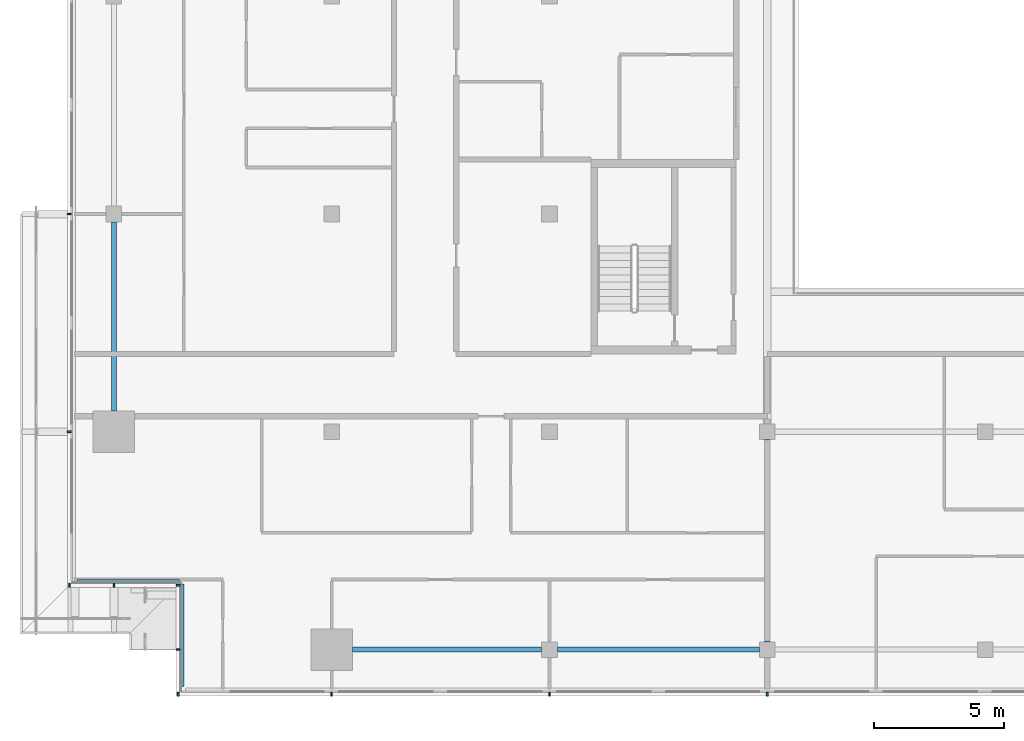
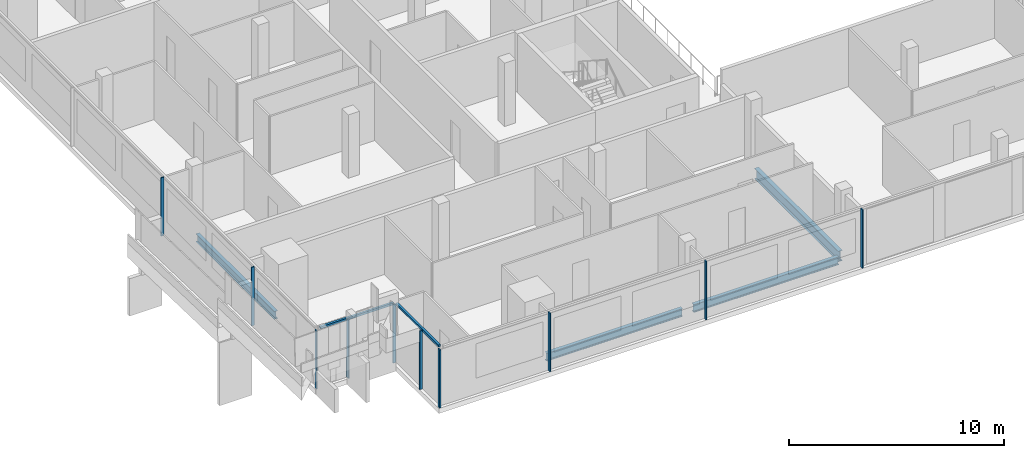
# One storey, part 2 of 30: 12 members, 4 beams, 4 elements without a shape of their own.
"""IFC4 building model written with IfcOpenShell, lengths in metres."""

import ifcopenshell
import ifcopenshell.guid

model = None  # the IFC model being written
_history = None  # IfcOwnerHistory: only IFC2X3 demands one
_inside = {}  # id of a spatial element -> (the spatial element, [elements in it])
_under = {}  # id of a project, library or spatial element -> (it, [spatial elements below it])
_declared = {}  # id of a project -> (the project, [libraries it declares])
_typed = {}  # id of a type object -> (the type object, [elements of that type])
_made_of = {}  # id of a material, layer set ... -> (it, [elements and type objects made of it])


def new_model(schema):
    """Start an empty IFC model of exactly this schema.

    Asked for "IFC4X3", IfcOpenShell would pick the latest addendum, in which some entities
    have other attributes; the version numbers below select the first issue.
    IFC2X3 requires an IfcOwnerHistory on every rooted entity: one is made here for all.
    """
    global model, _history
    if schema == "IFC4X3":
        model = ifcopenshell.file(schema_version=(4, 3, 0, 0))
    else:
        model = ifcopenshell.file(schema=schema)
    _inside.clear()
    _under.clear()
    _declared.clear()
    _typed.clear()
    _made_of.clear()
    _history = None
    if model.schema == "IFC2X3":
        org = make("IfcOrganization", Name="unknown")
        user = make(
            "IfcPersonAndOrganization",
            ThePerson=make("IfcPerson", FamilyName="unknown"),
            TheOrganization=org,
        )
        app = make(
            "IfcApplication",
            ApplicationDeveloper=org,
            Version="unknown",
            ApplicationFullName="unknown",
            ApplicationIdentifier="unknown",
        )
        _history = make(
            "IfcOwnerHistory",
            OwningUser=user,
            OwningApplication=app,
            ChangeAction="ADDED",
            CreationDate=0,
        )
    return model


def make(cls, **values):
    """One entity of the class cls with the attributes given. An attribute that is None is left unset."""
    return model.create_entity(
        cls, **{name: value for name, value in values.items() if value is not None}
    )


def rooted(cls, **values):
    """An entity with a GlobalId (a new one), such as an element, a storey or a relation."""
    return make(cls, GlobalId=ifcopenshell.guid.new(), OwnerHistory=_history, **values)


def si_unit(unit_type, name, prefix=None):
    """IfcSIUnit, for example si_unit("LENGTHUNIT", "METRE", prefix="MILLI")."""
    return make("IfcSIUnit", UnitType=unit_type, Prefix=prefix, Name=name)


def assignment(units):
    """IfcUnitAssignment: the units of a project."""
    return None if units is None else make("IfcUnitAssignment", Units=units)


def point(xyz):
    """IfcCartesianPoint."""
    return None if xyz is None else make("IfcCartesianPoint", Coordinates=xyz)


def direction(xyz):
    """IfcDirection."""
    return None if xyz is None else make("IfcDirection", DirectionRatios=xyz)


def frame(location, z_axis=None, x_axis=None):
    """IfcAxis2Placement3D, a coordinate frame: its origin and axes. An axis left out is left unset."""
    return make(
        "IfcAxis2Placement3D",
        Location=point(location),
        Axis=direction(z_axis),
        RefDirection=direction(x_axis),
    )


def frame_2d(location, x_axis=None):
    """IfcAxis2Placement2D, a coordinate frame in the plane: its origin and x axis."""
    return make(
        "IfcAxis2Placement2D", Location=point(location), RefDirection=direction(x_axis)
    )


def origin():
    """The frame at (0, 0, 0) with its axes left unset."""
    return frame((0.0, 0.0, 0.0))


def origin_2d():
    """The frame at (0, 0) in the plane with its x axis left unset."""
    return frame_2d((0.0, 0.0))


def place(relative_to, where):
    """IfcLocalPlacement: puts the frame where relative to a parent placement (None: the world)."""
    return make(
        "IfcLocalPlacement", PlacementRelTo=relative_to, RelativePlacement=where
    )


def context(
    kind, dimensions, precision=None, world=None, true_north=None, identifier=None
):
    """IfcGeometricRepresentationContext, for example the 3D "Model" context."""
    return make(
        "IfcGeometricRepresentationContext",
        ContextIdentifier=identifier,
        ContextType=kind,
        CoordinateSpaceDimension=dimensions,
        Precision=precision,
        WorldCoordinateSystem=world,
        TrueNorth=true_north,
    )


def subcontext(parent, identifier, kind, view, scale=None):
    """IfcGeometricRepresentationSubContext, for example "Body" below "Model"."""
    return make(
        "IfcGeometricRepresentationSubContext",
        ContextIdentifier=identifier,
        ContextType=kind,
        ParentContext=parent,
        TargetScale=scale,
        TargetView=view,
    )


def project(units=None, contexts=None):
    """IfcProject with its units and contexts."""
    return rooted(
        "IfcProject",
        Name="project",
        RepresentationContexts=contexts,
        UnitsInContext=assignment(units),
    )


def spatial(cls, under=None, at=None, **own):
    """A site, building, storey or space (cls), placed at a placement, below another one or the project."""
    s = rooted(cls, ObjectPlacement=at, **own)
    if under is not None:
        _under.setdefault(under.id(), (under, []))[1].append(s)
    return s


def profile(cls, at=None, kind="AREA", **sizes):
    """A parametric profile (cls). Its sizes go by their IFC names, for example OverallWidth=200.0."""
    return make(cls, ProfileType=kind, Position=at, **sizes)


def rectangle(**sizes):
    """IfcRectangleProfileDef."""
    return profile("IfcRectangleProfileDef", **sizes)


def i_section(**sizes):
    """IfcIShapeProfileDef."""
    return profile("IfcIShapeProfileDef", **sizes)


def extrude(swept, where, along, depth):
    """IfcExtrudedAreaSolid: the profile swept, set in the frame where, extruded along a direction by depth."""
    return make(
        "IfcExtrudedAreaSolid",
        SweptArea=swept,
        Position=where,
        ExtrudedDirection=direction(along),
        Depth=depth,
    )


def shape(context_of_items, identifier, shape_type, items):
    """IfcShapeRepresentation: the items that make up one representation, for example the "Body"."""
    return make(
        "IfcShapeRepresentation",
        ContextOfItems=context_of_items,
        RepresentationIdentifier=identifier,
        RepresentationType=shape_type,
        Items=items,
    )


def material(Name=None, Category=None):
    """IfcMaterial."""
    return make("IfcMaterial", Name=Name, Category=Category)


def material_profile(
    of_material, cross_section, Name=None, Category=None, Priority=None
):
    """IfcMaterialProfile: a cross section and its material."""
    return make(
        "IfcMaterialProfile",
        Name=Name,
        Material=of_material,
        Profile=cross_section,
        Priority=Priority,
        Category=Category,
    )


def profile_set(profiles, Name=None, composite=None):
    """IfcMaterialProfileSet."""
    return make(
        "IfcMaterialProfileSet",
        Name=Name,
        MaterialProfiles=profiles,
        CompositeProfile=composite,
    )


def made_of(thing, what):
    """Note that an element or type object is made of a material, layer set ...; save() writes the relation."""
    if what is not None:
        _made_of.setdefault(what.id(), (what, []))[1].append(thing)
    return thing


def type_object(cls, material=None, **own):
    """A type object (cls), such as IfcWallType, which elements share."""
    return made_of(rooted(cls, **own), material)


def element(
    cls,
    number,
    at=None,
    inside=None,
    cuts=None,
    type_object=None,
    material=None,
    context=None,
    identifier="Body",
    shape_type=None,
    held_by="IfcProductDefinitionShape",
    body=None,
    shapes=None,
    **own,
):
    """One element of the class cls, such as IfcWall. Its Tag is "e" and its number.

    at: its placement. inside: the storey or other place that contains it. cuts: it is an
    opening in that element (IfcRelVoidsElement). A single representation is given by context,
    identifier, shape_type and body (its items); several are given by shapes. held_by: the class
    of the entity that holds the representations. save() writes the other relations.
    """
    e = rooted(cls, Tag="e%d" % number, ObjectPlacement=at, **own)
    if body is not None:
        shapes = [shape(context, identifier, shape_type, body)]
    if shapes is not None:
        e.Representation = make(held_by, Representations=shapes)
    if inside is not None:
        _inside.setdefault(inside.id(), (inside, []))[1].append(e)
    if cuts is not None:
        rooted(
            "IfcRelVoidsElement", RelatingBuildingElement=cuts, RelatedOpeningElement=e
        )
    if type_object is not None:
        _typed.setdefault(type_object.id(), (type_object, []))[1].append(e)
    return made_of(e, material)


def aggregate(whole, parts):
    """IfcRelAggregates: a whole, such as a stair, and the parts it consists of."""
    return rooted("IfcRelAggregates", RelatingObject=whole, RelatedObjects=parts)


def save(model, path):
    """Write the relations noted so far, then the file.

    IfcRelAggregates (storeys below a building ...), IfcRelContainedInSpatialStructure (elements
    in a storey), IfcRelDefinesByType, IfcRelAssociatesMaterial and IfcRelDeclares: one each for
    every whole, place, type object, material and project.
    """
    for whole, parts in _under.values():
        aggregate(whole, parts)
    for where, things in _inside.values():
        rooted(
            "IfcRelContainedInSpatialStructure",
            RelatedElements=things,
            RelatingStructure=where,
        )
    for kind, things in _typed.values():
        rooted("IfcRelDefinesByType", RelatedObjects=things, RelatingType=kind)
    for what, things in _made_of.values():
        rooted("IfcRelAssociatesMaterial", RelatedObjects=things, RelatingMaterial=what)
    for by, libraries in _declared.values():
        rooted("IfcRelDeclares", RelatingContext=by, RelatedDefinitions=libraries)
    model.write(path)


model = new_model("IFC4")

# Units and contexts
model_context = context("Model", 3, precision=1e-05, world=origin(), true_north=direction((0.0, 1.0)))
body_context = subcontext(model_context, "Body", "Model", "MODEL_VIEW")
ifc_project = project(units=[si_unit("LENGTHUNIT", "METRE"), si_unit("AREAUNIT", "SQUARE_METRE"), si_unit("VOLUMEUNIT", "CUBIC_METRE"), si_unit("PLANEANGLEUNIT", "RADIAN"), si_unit("MASSUNIT", "GRAM", prefix="KILO")], contexts=[model_context])

# Site, building, storey
site_placement = place(None, origin())
site = spatial("IfcSite", under=ifc_project, at=site_placement, CompositionType="ELEMENT")
building_placement = place(site_placement, origin())
building = spatial("IfcBuilding", under=site, at=building_placement, Name="Saffron Gate Tower", CompositionType="ELEMENT")
storey_placement = place(building_placement, frame((0.0, 0.0, 245.10009765625)))
storey = spatial("IfcBuildingStorey", under=building, at=storey_placement, Name="L60", CompositionType="ELEMENT", Elevation=245.10009765625)

# Beams
ifc_material_1 = material(Name="Structural steel S355", Category="steel")
ifc_material_profile_1 = material_profile(ifc_material_1, i_section(OverallWidth=0.219970703125, OverallDepth=0.60009765625, WebThickness=0.011962890625, FlangeThickness=0.01904296875, FilletRadius=0.02392578125, at=origin_2d()))
ifc_profile_set_1 = profile_set([ifc_material_profile_1], Name="Structural steel S355")
beam_type_1 = type_object("IfcBeamType", Name="B15 IPE 600", PredefinedType="BEAM", material=ifc_profile_set_1)
beam_1_placement = place(storey_placement, frame((75.0, 32.10009765625, -0.580078125), z_axis=(0.0, 1.0, 0.0), x_axis=(-1.0, 0.0, 0.0)))
element("IfcBeam", 1, at=beam_1_placement, inside=storey, type_object=beam_type_1, Name="B15 FLOOR GIRDER", PredefinedType="BEAM", context=body_context, shape_type="SweptSolid", body=[
    extrude(i_section(OverallWidth=0.219970703125, OverallDepth=0.60009765625, WebThickness=0.011962890625, FlangeThickness=0.01904296875, FilletRadius=0.02392578125, at=origin_2d()), origin(), (0.0, 0.0, 1.0), 7.7998046875),
])
ifc_material_profile_2 = material_profile(ifc_material_1, i_section(OverallWidth=0.18994140625, OverallDepth=0.449951171875, WebThickness=0.009521484375, FlangeThickness=0.0146484375, FilletRadius=0.02099609375, at=origin_2d()))
ifc_profile_set_2 = profile_set([ifc_material_profile_2], Name="Structural steel S355")
beam_type_2 = type_object("IfcBeamType", Name="B7 IPE 450", PredefinedType="SPANDREL", material=ifc_profile_set_2)
for number, where, z_axis, x_axis, name in (
    (2, (49.800048828125, 41.0, -0.505126953125), (0.0, 1.0, 0.0), (-1.0, 0.0, 0.0), "B7 SPANDREL BEAM"),
    (3, (59.0, 31.800048828125, -0.505126953125), (1.0, 0.0, 0.0), (0.0, 1.0, 0.0), "B7 SPANDREL BEAM"),
):
    element("IfcBeam", number, at=place(storey_placement, frame(where, z_axis=z_axis, x_axis=x_axis)), inside=storey, type_object=beam_type_2, Name=name, PredefinedType="SPANDREL", context=body_context, shape_type="SweptSolid", body=[
        extrude(i_section(OverallWidth=0.18994140625, OverallDepth=0.449951171875, WebThickness=0.009521484375, FlangeThickness=0.0146484375, FilletRadius=0.02099609375, at=origin_2d()), origin(), (0.0, 0.0, 1.0), 7.300048828125),
    ])
beam_2_placement = place(storey_placement, frame((66.89990234375, 31.800048828125, -0.505126953125), z_axis=(1.0, 0.0, 0.0), x_axis=(0.0, 1.0, 0.0)))
element("IfcBeam", 4, at=beam_2_placement, inside=storey, type_object=beam_type_2, Name="B7 SPANDREL BEAM", PredefinedType="SPANDREL", context=body_context, shape_type="SweptSolid", body=[
    extrude(i_section(OverallWidth=0.18994140625, OverallDepth=0.449951171875, WebThickness=0.009521484375, FlangeThickness=0.0146484375, FilletRadius=0.02099609375, at=origin_2d()), origin(), (0.0, 0.0, 1.0), 7.800048828125),
])

# Curtain wall, members
ifc_material_2 = material(Name="Aluminium, bronze anodised", Category="aluminium")
curtain_wall_type_1 = type_object("IfcCurtainWallType", Name="CWS1 curtain wall front facade", PredefinedType="NOTDEFINED", material=ifc_material_2)
curtain_wall_1_placement = place(storey_placement, origin())
curtain_wall_1 = element("IfcCurtainWall", 5, at=curtain_wall_1_placement, inside=storey, type_object=curtain_wall_type_1, Name="CWS1 run 1", PredefinedType="NOTDEFINED")
ifc_material_profile_3 = material_profile(ifc_material_2, rectangle(XDim=0.159912109375, YDim=0.06005859375, at=origin_2d()))
ifc_profile_set_3 = profile_set([ifc_material_profile_3], Name="Aluminium, bronze anodised")
member_type_1 = type_object("IfcMemberType", Name="CWS1 mullion 60x160", PredefinedType="MULLION", material=ifc_profile_set_3)
member_1_placement = place(storey_placement, frame((52.280029296875, 30.080078125, 0.0), z_axis=(0.0, 0.0, 1.0), x_axis=(0.0, 1.0, 0.0)))
member_1 = element("IfcMember", 6, at=member_1_placement, type_object=member_type_1, Name="CWS1 mullion 1", PredefinedType="MULLION", context=body_context, shape_type="SweptSolid", body=[
    extrude(rectangle(XDim=0.159912109375, YDim=0.06005859375, at=origin_2d()), origin(), (0.0, 0.0, 1.0), 3.31982421875),
])
member_2_placement = place(storey_placement, frame((58.199951171875, 30.080078125, 0.0), z_axis=(0.0, 0.0, 1.0), x_axis=(0.0, 1.0, 0.0)))
member_2 = element("IfcMember", 7, at=member_2_placement, type_object=member_type_1, Name="CWS1 mullion 2", PredefinedType="MULLION", context=body_context, shape_type="SweptSolid", body=[
    extrude(rectangle(XDim=0.159912109375, YDim=0.06005859375, at=origin_2d()), origin(), (0.0, 0.0, 1.0), 3.31982421875),
])
member_3_placement = place(storey_placement, frame((66.60009765625, 30.080078125, 0.0), z_axis=(0.0, 0.0, 1.0), x_axis=(0.0, 1.0, 0.0)))
member_3 = element("IfcMember", 8, at=member_3_placement, type_object=member_type_1, Name="CWS1 mullion 3", PredefinedType="MULLION", context=body_context, shape_type="SweptSolid", body=[
    extrude(rectangle(XDim=0.159912109375, YDim=0.06005859375, at=origin_2d()), origin(), (0.0, 0.0, 1.0), 3.31982421875),
])
member_4_placement = place(storey_placement, frame((75.0, 30.080078125, 0.0), z_axis=(0.0, 0.0, 1.0), x_axis=(0.0, 1.0, 0.0)))
member_4 = element("IfcMember", 9, at=member_4_placement, type_object=member_type_1, Name="CWS1 mullion 4", PredefinedType="MULLION", context=body_context, shape_type="SweptSolid", body=[
    extrude(rectangle(XDim=0.159912109375, YDim=0.06005859375, at=origin_2d()), origin(), (0.0, 0.0, 1.0), 3.31982421875),
])
aggregate(curtain_wall_1, [member_1, member_2, member_3, member_4])

curtain_wall_type_2 = type_object("IfcCurtainWallType", Name="CWS2 curtain wall side facades", PredefinedType="NOTDEFINED", material=ifc_material_2)
curtain_wall_2_placement = place(storey_placement, origin())
curtain_wall_2 = element("IfcCurtainWall", 10, at=curtain_wall_2_placement, inside=storey, type_object=curtain_wall_type_2, Name="CWS2 run 10", PredefinedType="NOTDEFINED")
ifc_material_profile_4 = material_profile(ifc_material_2, rectangle(XDim=0.159912109375, YDim=0.06005859375, at=origin_2d()))
ifc_profile_set_4 = profile_set([ifc_material_profile_4], Name="Aluminium, bronze anodised")
member_type_2 = type_object("IfcMemberType", Name="CWS2 mullion 60x160", PredefinedType="MULLION", material=ifc_profile_set_4)
member_5_placement = place(storey_placement, frame((48.080078125, 48.60009765625, 0.0), z_axis=(0.0, 0.0, 1.0), x_axis=(1.0, 0.0, 0.0)))
member_5 = element("IfcMember", 11, at=member_5_placement, type_object=member_type_2, Name="CWS2 mullion 4", PredefinedType="MULLION", context=body_context, shape_type="SweptSolid", body=[
    extrude(rectangle(XDim=0.159912109375, YDim=0.06005859375, at=origin_2d()), origin(), (0.0, 0.0, 1.0), 3.31982421875),
])
member_6_placement = place(storey_placement, frame((48.080078125, 40.199951171875, 0.0), z_axis=(0.0, 0.0, 1.0), x_axis=(1.0, 0.0, 0.0)))
member_6 = element("IfcMember", 12, at=member_6_placement, type_object=member_type_2, Name="CWS2 mullion 5", PredefinedType="MULLION", context=body_context, shape_type="SweptSolid", body=[
    extrude(rectangle(XDim=0.159912109375, YDim=0.06005859375, at=origin_2d()), origin(), (0.0, 0.0, 1.0), 3.31982421875),
])
aggregate(curtain_wall_2, [member_5, member_6])

# Curtain wall, member
curtain_wall_type_3 = type_object("IfcCurtainWallType", Name="CWS4 curtain wall corner returns", PredefinedType="NOTDEFINED", material=ifc_material_2)
curtain_wall_3_placement = place(storey_placement, origin())
curtain_wall_3 = element("IfcCurtainWall", 13, at=curtain_wall_3_placement, inside=storey, type_object=curtain_wall_type_3, Name="CWS4 run 11", PredefinedType="NOTDEFINED")
ifc_material_profile_5 = material_profile(ifc_material_2, rectangle(XDim=0.1201171875, YDim=0.1201171875, at=origin_2d()))
ifc_profile_set_5 = profile_set([ifc_material_profile_5], Name="Aluminium, bronze anodised")
member_type_3 = type_object("IfcMemberType", Name="CWS4 head transom", PredefinedType="USERDEFINED", material=ifc_profile_set_5)
member_7_placement = place(storey_placement, frame((48.367919921875, 34.447998046875, 3.260009765625), z_axis=(1.0, 0.0, 0.0), x_axis=(0.0, 1.0, 0.0)))
member_7 = element("IfcMember", 14, at=member_7_placement, type_object=member_type_3, Name="CWS4 head transom", ObjectType="TRANSOM", PredefinedType="USERDEFINED", context=body_context, shape_type="SweptSolid", body=[
    extrude(rectangle(XDim=0.1201171875, YDim=0.1201171875, at=origin_2d()), origin(), (0.0, 0.0, 1.0), 3.9599609375),
])

curtain_wall_4_placement = place(storey_placement, origin())
curtain_wall_4 = element("IfcCurtainWall", 15, at=curtain_wall_4_placement, inside=storey, type_object=curtain_wall_type_3, Name="CWS4 run 12", PredefinedType="NOTDEFINED")
member_8_placement = place(storey_placement, frame((52.447998046875, 34.327880859375, 3.260009765625), z_axis=(0.0, -1.0, 0.0), x_axis=(1.0, 0.0, 0.0)))
member_8 = element("IfcMember", 16, at=member_8_placement, type_object=member_type_3, Name="CWS4 head transom", ObjectType="TRANSOM", PredefinedType="USERDEFINED", context=body_context, shape_type="SweptSolid", body=[
    extrude(rectangle(XDim=0.1201171875, YDim=0.1201171875, at=origin_2d()), origin(), (0.0, 0.0, 1.0), 3.9599609375),
])

# Member
ifc_material_profile_6 = material_profile(ifc_material_2, rectangle(XDim=0.159912109375, YDim=0.06005859375, at=origin_2d()))
ifc_profile_set_6 = profile_set([ifc_material_profile_6], Name="Aluminium, bronze anodised")
member_type_4 = type_object("IfcMemberType", Name="CWS4 mullion 60x160", PredefinedType="MULLION", material=ifc_profile_set_6)
member_9_placement = place(storey_placement, frame((48.080078125, 34.280029296875, 0.0), z_axis=(0.0, 0.0, 1.0), x_axis=(0.0, 1.0, 0.0)))
member_9 = element("IfcMember", 17, at=member_9_placement, type_object=member_type_4, Name="CWS4 mullion 1", PredefinedType="MULLION", context=body_context, shape_type="SweptSolid", body=[
    extrude(rectangle(XDim=0.159912109375, YDim=0.06005859375, at=origin_2d()), origin(), (0.0, 0.0, 1.0), 3.31982421875),
])

member_10_placement = place(storey_placement, frame((49.800048828125, 34.280029296875, 0.0), z_axis=(0.0, 0.0, 1.0), x_axis=(0.0, 1.0, 0.0)))
member_10 = element("IfcMember", 18, at=member_10_placement, type_object=member_type_4, Name="CWS4 mullion 2", PredefinedType="MULLION", context=body_context, shape_type="SweptSolid", body=[
    extrude(rectangle(XDim=0.159912109375, YDim=0.06005859375, at=origin_2d()), origin(), (0.0, 0.0, 1.0), 3.31982421875),
])

aggregate(curtain_wall_3, [member_9, member_10, member_7])

member_11_placement = place(storey_placement, frame((52.280029296875, 34.280029296875, 0.0), z_axis=(0.0, 0.0, 1.0), x_axis=(1.0, 0.0, 0.0)))
member_11 = element("IfcMember", 19, at=member_11_placement, type_object=member_type_4, Name="CWS4 mullion 1", PredefinedType="MULLION", context=body_context, shape_type="SweptSolid", body=[
    extrude(rectangle(XDim=0.159912109375, YDim=0.06005859375, at=origin_2d()), origin(), (0.0, 0.0, 1.0), 3.31982421875),
])

member_12_placement = place(storey_placement, frame((52.280029296875, 31.800048828125, 0.0), z_axis=(0.0, 0.0, 1.0), x_axis=(1.0, 0.0, 0.0)))
member_12 = element("IfcMember", 20, at=member_12_placement, type_object=member_type_4, Name="CWS4 mullion 2", PredefinedType="MULLION", context=body_context, shape_type="SweptSolid", body=[
    extrude(rectangle(XDim=0.159912109375, YDim=0.06005859375, at=origin_2d()), origin(), (0.0, 0.0, 1.0), 3.31982421875),
])

aggregate(curtain_wall_4, [member_11, member_12, member_8])

save(model, "model.ifc")
